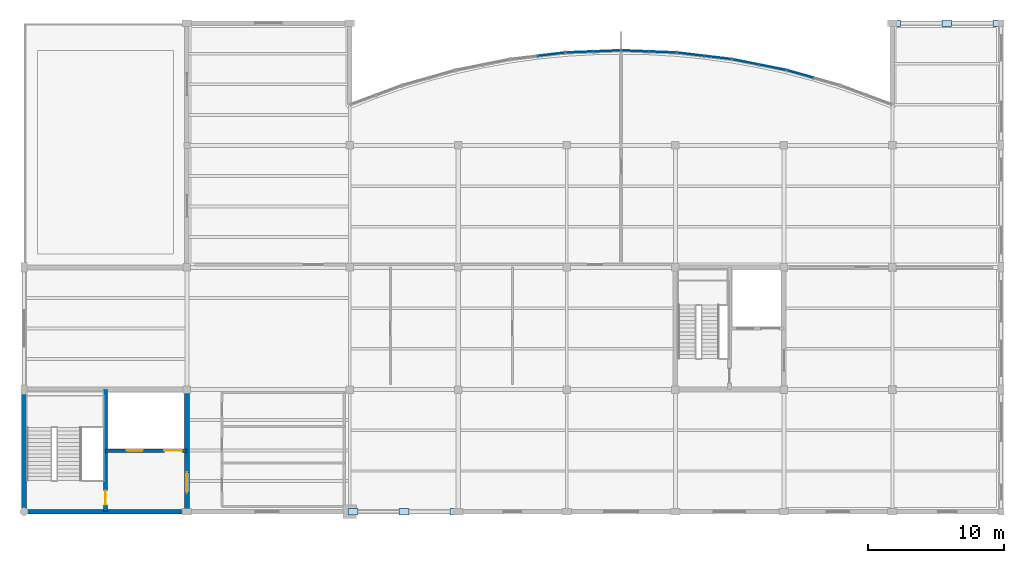
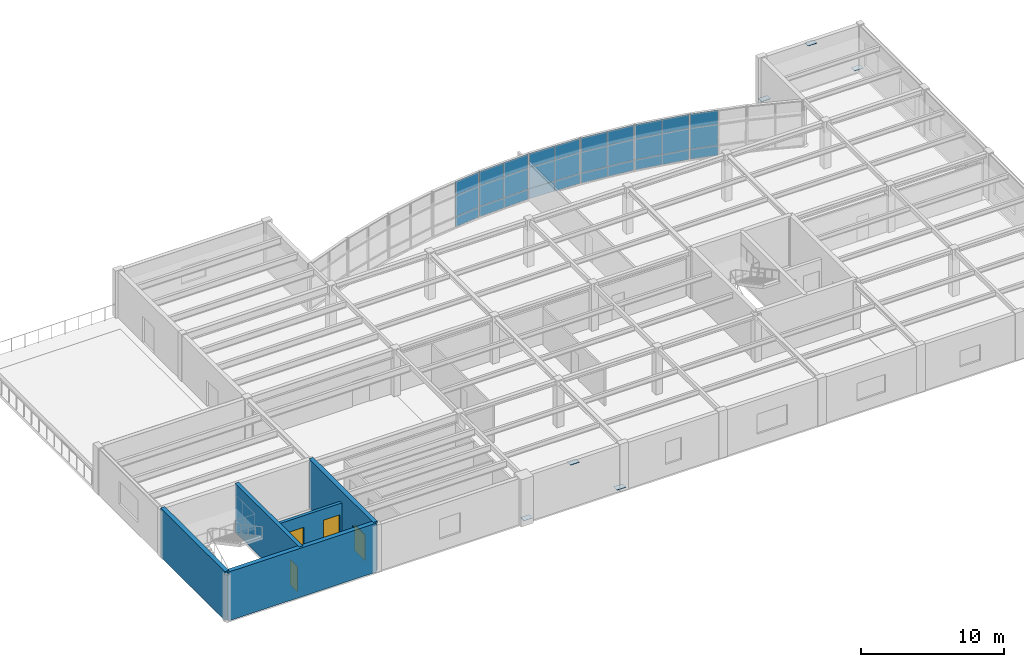
# One storey, part 6 of 12: 36 plates, 5 walls, 4 doors, 4 openings, 6 elements without a shape of their own.
"""IFC4 building model written with IfcOpenShell, lengths in metres."""

import ifcopenshell
import ifcopenshell.guid

model = None  # the IFC model being written
_history = None  # IfcOwnerHistory: only IFC2X3 demands one
_inside = {}  # id of a spatial element -> (the spatial element, [elements in it])
_under = {}  # id of a project, library or spatial element -> (it, [spatial elements below it])
_declared = {}  # id of a project -> (the project, [libraries it declares])
_typed = {}  # id of a type object -> (the type object, [elements of that type])
_made_of = {}  # id of a material, layer set ... -> (it, [elements and type objects made of it])


def new_model(schema):
    """Start an empty IFC model of exactly this schema.

    Asked for "IFC4X3", IfcOpenShell would pick the latest addendum, in which some entities
    have other attributes; the version numbers below select the first issue.
    IFC2X3 requires an IfcOwnerHistory on every rooted entity: one is made here for all.
    """
    global model, _history
    if schema == "IFC4X3":
        model = ifcopenshell.file(schema_version=(4, 3, 0, 0))
    else:
        model = ifcopenshell.file(schema=schema)
    _inside.clear()
    _under.clear()
    _declared.clear()
    _typed.clear()
    _made_of.clear()
    _history = None
    if model.schema == "IFC2X3":
        org = make("IfcOrganization", Name="unknown")
        user = make(
            "IfcPersonAndOrganization",
            ThePerson=make("IfcPerson", FamilyName="unknown"),
            TheOrganization=org,
        )
        app = make(
            "IfcApplication",
            ApplicationDeveloper=org,
            Version="unknown",
            ApplicationFullName="unknown",
            ApplicationIdentifier="unknown",
        )
        _history = make(
            "IfcOwnerHistory",
            OwningUser=user,
            OwningApplication=app,
            ChangeAction="ADDED",
            CreationDate=0,
        )
    return model


def make(cls, **values):
    """One entity of the class cls with the attributes given. An attribute that is None is left unset."""
    return model.create_entity(
        cls, **{name: value for name, value in values.items() if value is not None}
    )


def rooted(cls, **values):
    """An entity with a GlobalId (a new one), such as an element, a storey or a relation."""
    return make(cls, GlobalId=ifcopenshell.guid.new(), OwnerHistory=_history, **values)


def si_unit(unit_type, name, prefix=None):
    """IfcSIUnit, for example si_unit("LENGTHUNIT", "METRE", prefix="MILLI")."""
    return make("IfcSIUnit", UnitType=unit_type, Prefix=prefix, Name=name)


def assignment(units):
    """IfcUnitAssignment: the units of a project."""
    return None if units is None else make("IfcUnitAssignment", Units=units)


def point(xyz):
    """IfcCartesianPoint."""
    return None if xyz is None else make("IfcCartesianPoint", Coordinates=xyz)


def direction(xyz):
    """IfcDirection."""
    return None if xyz is None else make("IfcDirection", DirectionRatios=xyz)


def frame(location, z_axis=None, x_axis=None):
    """IfcAxis2Placement3D, a coordinate frame: its origin and axes. An axis left out is left unset."""
    return make(
        "IfcAxis2Placement3D",
        Location=point(location),
        Axis=direction(z_axis),
        RefDirection=direction(x_axis),
    )


def frame_2d(location, x_axis=None):
    """IfcAxis2Placement2D, a coordinate frame in the plane: its origin and x axis."""
    return make(
        "IfcAxis2Placement2D", Location=point(location), RefDirection=direction(x_axis)
    )


def origin():
    """The frame at (0, 0, 0) with its axes left unset."""
    return frame((0.0, 0.0, 0.0))


def origin_2d():
    """The frame at (0, 0) in the plane with its x axis left unset."""
    return frame_2d((0.0, 0.0))


def place(relative_to, where):
    """IfcLocalPlacement: puts the frame where relative to a parent placement (None: the world)."""
    return make(
        "IfcLocalPlacement", PlacementRelTo=relative_to, RelativePlacement=where
    )


def context(
    kind, dimensions, precision=None, world=None, true_north=None, identifier=None
):
    """IfcGeometricRepresentationContext, for example the 3D "Model" context."""
    return make(
        "IfcGeometricRepresentationContext",
        ContextIdentifier=identifier,
        ContextType=kind,
        CoordinateSpaceDimension=dimensions,
        Precision=precision,
        WorldCoordinateSystem=world,
        TrueNorth=true_north,
    )


def subcontext(parent, identifier, kind, view, scale=None):
    """IfcGeometricRepresentationSubContext, for example "Body" below "Model"."""
    return make(
        "IfcGeometricRepresentationSubContext",
        ContextIdentifier=identifier,
        ContextType=kind,
        ParentContext=parent,
        TargetScale=scale,
        TargetView=view,
    )


def project(units=None, contexts=None):
    """IfcProject with its units and contexts."""
    return rooted(
        "IfcProject",
        Name="project",
        RepresentationContexts=contexts,
        UnitsInContext=assignment(units),
    )


def spatial(cls, under=None, at=None, **own):
    """A site, building, storey or space (cls), placed at a placement, below another one or the project."""
    s = rooted(cls, ObjectPlacement=at, **own)
    if under is not None:
        _under.setdefault(under.id(), (under, []))[1].append(s)
    return s


def profile(cls, at=None, kind="AREA", **sizes):
    """A parametric profile (cls). Its sizes go by their IFC names, for example OverallWidth=200.0."""
    return make(cls, ProfileType=kind, Position=at, **sizes)


def rectangle(**sizes):
    """IfcRectangleProfileDef."""
    return profile("IfcRectangleProfileDef", **sizes)


def extrude(swept, where, along, depth):
    """IfcExtrudedAreaSolid: the profile swept, set in the frame where, extruded along a direction by depth."""
    return make(
        "IfcExtrudedAreaSolid",
        SweptArea=swept,
        Position=where,
        ExtrudedDirection=direction(along),
        Depth=depth,
    )


def shape(context_of_items, identifier, shape_type, items):
    """IfcShapeRepresentation: the items that make up one representation, for example the "Body"."""
    return make(
        "IfcShapeRepresentation",
        ContextOfItems=context_of_items,
        RepresentationIdentifier=identifier,
        RepresentationType=shape_type,
        Items=items,
    )


def material(Name=None, Category=None):
    """IfcMaterial."""
    return make("IfcMaterial", Name=Name, Category=Category)


def layer(
    of_material, thickness, ventilated=None, Name=None, Category=None, Priority=None
):
    """IfcMaterialLayer: one layer of a wall or slab, of a material (None: an air gap)."""
    return make(
        "IfcMaterialLayer",
        Material=of_material,
        LayerThickness=thickness,
        IsVentilated=ventilated,
        Name=Name,
        Category=Category,
        Priority=Priority,
    )


def layer_set(layers, Name=None):
    """IfcMaterialLayerSet."""
    return make("IfcMaterialLayerSet", MaterialLayers=layers, LayerSetName=Name)


def made_of(thing, what):
    """Note that an element or type object is made of a material, layer set ...; save() writes the relation."""
    if what is not None:
        _made_of.setdefault(what.id(), (what, []))[1].append(thing)
    return thing


def type_object(cls, material=None, **own):
    """A type object (cls), such as IfcWallType, which elements share."""
    return made_of(rooted(cls, **own), material)


def element(
    cls,
    number,
    at=None,
    inside=None,
    cuts=None,
    type_object=None,
    material=None,
    context=None,
    identifier="Body",
    shape_type=None,
    held_by="IfcProductDefinitionShape",
    body=None,
    shapes=None,
    **own,
):
    """One element of the class cls, such as IfcWall. Its Tag is "e" and its number.

    at: its placement. inside: the storey or other place that contains it. cuts: it is an
    opening in that element (IfcRelVoidsElement). A single representation is given by context,
    identifier, shape_type and body (its items); several are given by shapes. held_by: the class
    of the entity that holds the representations. save() writes the other relations.
    """
    e = rooted(cls, Tag="e%d" % number, ObjectPlacement=at, **own)
    if body is not None:
        shapes = [shape(context, identifier, shape_type, body)]
    if shapes is not None:
        e.Representation = make(held_by, Representations=shapes)
    if inside is not None:
        _inside.setdefault(inside.id(), (inside, []))[1].append(e)
    if cuts is not None:
        rooted(
            "IfcRelVoidsElement", RelatingBuildingElement=cuts, RelatedOpeningElement=e
        )
    if type_object is not None:
        _typed.setdefault(type_object.id(), (type_object, []))[1].append(e)
    return made_of(e, material)


def fill(opening, filler):
    """IfcRelFillsElement: the door or window that sits in an opening."""
    return rooted(
        "IfcRelFillsElement",
        RelatingOpeningElement=opening,
        RelatedBuildingElement=filler,
    )


def aggregate(whole, parts):
    """IfcRelAggregates: a whole, such as a stair, and the parts it consists of."""
    return rooted("IfcRelAggregates", RelatingObject=whole, RelatedObjects=parts)


def save(model, path):
    """Write the relations noted so far, then the file.

    IfcRelAggregates (storeys below a building ...), IfcRelContainedInSpatialStructure (elements
    in a storey), IfcRelDefinesByType, IfcRelAssociatesMaterial and IfcRelDeclares: one each for
    every whole, place, type object, material and project.
    """
    for whole, parts in _under.values():
        aggregate(whole, parts)
    for where, things in _inside.values():
        rooted(
            "IfcRelContainedInSpatialStructure",
            RelatedElements=things,
            RelatingStructure=where,
        )
    for kind, things in _typed.values():
        rooted("IfcRelDefinesByType", RelatedObjects=things, RelatingType=kind)
    for what, things in _made_of.values():
        rooted("IfcRelAssociatesMaterial", RelatedObjects=things, RelatingMaterial=what)
    for by, libraries in _declared.values():
        rooted("IfcRelDeclares", RelatingContext=by, RelatedDefinitions=libraries)
    model.write(path)


model = new_model("IFC4")

# Units and contexts
model_context = context("Model", 3, precision=1e-05, world=origin(), true_north=direction((0.0, 1.0)))
body_context = subcontext(model_context, "Body", "Model", "MODEL_VIEW")
ifc_project = project(units=[si_unit("LENGTHUNIT", "METRE"), si_unit("AREAUNIT", "SQUARE_METRE"), si_unit("VOLUMEUNIT", "CUBIC_METRE"), si_unit("PLANEANGLEUNIT", "RADIAN"), si_unit("MASSUNIT", "GRAM", prefix="KILO")], contexts=[model_context])

# Site, building, storey
site_placement = place(None, origin())
site = spatial("IfcSite", under=ifc_project, at=site_placement, CompositionType="ELEMENT")
building_placement = place(site_placement, origin())
building = spatial("IfcBuilding", under=site, at=building_placement, Name="Keelwater Ferry Terminal", CompositionType="ELEMENT")
storey_placement = place(building_placement, frame((0.0, 0.0, 19.5)))
storey = spatial("IfcBuildingStorey", under=building, at=storey_placement, Name="L04", CompositionType="ELEMENT", Elevation=19.5)

# Curtain wall, plate
ifc_material_1 = material(Name="Thermally broken unitised aluminium and triple glass", Category="aluminium")
ifc_layer_1 = layer(ifc_material_1, 0.179931640625)
ifc_layer_set_1 = layer_set([ifc_layer_1], Name="Thermally broken unitised aluminium and triple glass")
curtain_wall_type = type_object("IfcCurtainWallType", Name="CW-23 Unitised Curtain Wall 4015x3850", PredefinedType="USERDEFINED", material=ifc_layer_set_1)
curtain_wall_1_placement = place(storey_placement, origin())
curtain_wall_1 = element("IfcCurtainWall", 1, at=curtain_wall_1_placement, inside=storey, type_object=curtain_wall_type, Name="Unitised Curtain Wall CW-L04-214", ObjectType="UNITISED CURTAIN WALL", PredefinedType="USERDEFINED")
ifc_material_2 = material(Name="Insulated terracotta shadow-box spandrel", Category="masonry")
ifc_layer_2 = layer(ifc_material_2, 0.110107421875)
ifc_layer_set_2 = layer_set([ifc_layer_2], Name="Insulated terracotta shadow-box spandrel")
plate_type_1 = type_object("IfcPlateType", Name="CWP-S3 Insulated Spandrel Panel 110", PredefinedType="CURTAIN_PANEL", material=ifc_layer_set_2)
plate_1_placement = place(storey_placement, frame((165.211669921875, 122.261962890625, 0.0), z_axis=(0.0, 0.0, 1.0), x_axis=(-0.962029778706, 0.272944508797, 0.0)))
plate_1 = element("IfcPlate", 2, at=plate_1_placement, type_object=plate_type_1, Name="CW-L04-214 Panel 2.1", PredefinedType="CURTAIN_PANEL", context=body_context, shape_type="SweptSolid", body=[
    extrude(rectangle(XDim=2.0078125, YDim=0.110107421875, at=origin_2d()), origin(), (0.0, 0.0, 1.0), 0.85009765625),
])

# Curtain wall, plates
curtain_wall_2_placement = place(storey_placement, origin())
curtain_wall_2 = element("IfcCurtainWall", 3, at=curtain_wall_2_placement, inside=storey, type_object=curtain_wall_type, Name="Unitised Curtain Wall CW-L04-215", ObjectType="UNITISED CURTAIN WALL", PredefinedType="USERDEFINED")
plate_2_placement = place(storey_placement, frame((163.1748046875, 122.753662109375, 0.0), z_axis=(0.0, 0.0, 1.0), x_axis=(-0.98059983046, 0.196020336958, 0.0)))
plate_2 = element("IfcPlate", 4, at=plate_2_placement, type_object=plate_type_1, Name="CW-L04-215 Panel 1.1", PredefinedType="CURTAIN_PANEL", context=body_context, shape_type="SweptSolid", body=[
    extrude(rectangle(XDim=2.00732421875, YDim=0.110107421875, at=origin_2d()), origin(), (0.0, 0.0, 1.0), 0.85009765625),
])
plate_3_placement = place(storey_placement, frame((161.206298828125, 123.147216796875, 0.0), z_axis=(0.0, 0.0, 1.0), x_axis=(-0.98059983046, 0.196020336958, 0.0)))
plate_3 = element("IfcPlate", 5, at=plate_3_placement, type_object=plate_type_1, Name="CW-L04-215 Panel 2.1", PredefinedType="CURTAIN_PANEL", context=body_context, shape_type="SweptSolid", body=[
    extrude(rectangle(XDim=2.00732421875, YDim=0.110107421875, at=origin_2d()), origin(), (0.0, 0.0, 1.0), 0.85009765625),
])

curtain_wall_3_placement = place(storey_placement, origin())
curtain_wall_3 = element("IfcCurtainWall", 6, at=curtain_wall_3_placement, inside=storey, type_object=curtain_wall_type, Name="Unitised Curtain Wall CW-L04-216", ObjectType="UNITISED CURTAIN WALL", PredefinedType="USERDEFINED")
plate_4_placement = place(storey_placement, frame((159.136474609375, 123.476806640625, 0.0), z_axis=(0.0, 0.0, 1.0), x_axis=(-0.992974342459, 0.118329857676, 0.0)))
plate_4 = element("IfcPlate", 7, at=plate_4_placement, type_object=plate_type_1, Name="CW-L04-216 Panel 1.1", PredefinedType="CURTAIN_PANEL", context=body_context, shape_type="SweptSolid", body=[
    extrude(rectangle(XDim=2.007080078125, YDim=0.110107421875, at=origin_2d()), origin(), (0.0, 0.0, 1.0), 0.85009765625),
])
plate_5_placement = place(storey_placement, frame((157.1435546875, 123.71435546875, 0.0), z_axis=(0.0, 0.0, 1.0), x_axis=(-0.992974342459, 0.118329857676, 0.0)))
plate_5 = element("IfcPlate", 8, at=plate_5_placement, type_object=plate_type_1, Name="CW-L04-216 Panel 2.1", PredefinedType="CURTAIN_PANEL", context=body_context, shape_type="SweptSolid", body=[
    extrude(rectangle(XDim=2.007080078125, YDim=0.110107421875, at=origin_2d()), origin(), (0.0, 0.0, 1.0), 0.85009765625),
])

curtain_wall_4_placement = place(storey_placement, origin())
curtain_wall_4 = element("IfcCurtainWall", 9, at=curtain_wall_4_placement, inside=storey, type_object=curtain_wall_type, Name="Unitised Curtain Wall CW-L04-217", ObjectType="UNITISED CURTAIN WALL", PredefinedType="USERDEFINED")
plate_6_placement = place(storey_placement, frame((155.053955078125, 123.87939453125, 0.0), z_axis=(0.0, 0.0, 1.0), x_axis=(-0.999225435626, 0.039351350652, 0.0)))
plate_6 = element("IfcPlate", 10, at=plate_6_placement, type_object=plate_type_1, Name="CW-L04-217 Panel 1.1", PredefinedType="CURTAIN_PANEL", context=body_context, shape_type="SweptSolid", body=[
    extrude(rectangle(XDim=2.007568359375, YDim=0.110107421875, at=origin_2d()), origin(), (0.0, 0.0, 1.0), 0.85009765625),
])
plate_7_placement = place(storey_placement, frame((153.048095703125, 123.95849609375, 0.0), z_axis=(0.0, 0.0, 1.0), x_axis=(-0.999225435626, 0.039351350652, 0.0)))
plate_7 = element("IfcPlate", 11, at=plate_7_placement, type_object=plate_type_1, Name="CW-L04-217 Panel 2.1", PredefinedType="CURTAIN_PANEL", context=body_context, shape_type="SweptSolid", body=[
    extrude(rectangle(XDim=2.007568359375, YDim=0.110107421875, at=origin_2d()), origin(), (0.0, 0.0, 1.0), 0.85009765625),
])

curtain_wall_5_placement = place(storey_placement, origin())
curtain_wall_5 = element("IfcCurtainWall", 12, at=curtain_wall_5_placement, inside=storey, type_object=curtain_wall_type, Name="Unitised Curtain Wall CW-L04-218", ObjectType="UNITISED CURTAIN WALL", PredefinedType="USERDEFINED")
plate_8_placement = place(storey_placement, frame((150.951904296875, 123.95849609375, 0.0), z_axis=(0.0, 0.0, 1.0), x_axis=(-0.999225435626, -0.039351350652, 0.0)))
plate_8 = element("IfcPlate", 13, at=plate_8_placement, type_object=plate_type_1, Name="CW-L04-218 Panel 1.1", PredefinedType="CURTAIN_PANEL", context=body_context, shape_type="SweptSolid", body=[
    extrude(rectangle(XDim=2.007568359375, YDim=0.110107421875, at=origin_2d()), origin(), (0.0, 0.0, 1.0), 0.85009765625),
])
plate_9_placement = place(storey_placement, frame((148.946044921875, 123.87939453125, 0.0), z_axis=(0.0, 0.0, 1.0), x_axis=(-0.999225435626, -0.039351350652, 0.0)))
plate_9 = element("IfcPlate", 14, at=plate_9_placement, type_object=plate_type_1, Name="CW-L04-218 Panel 2.1", PredefinedType="CURTAIN_PANEL", context=body_context, shape_type="SweptSolid", body=[
    extrude(rectangle(XDim=2.007568359375, YDim=0.110107421875, at=origin_2d()), origin(), (0.0, 0.0, 1.0), 0.85009765625),
])

# Curtain wall, plate
curtain_wall_6_placement = place(storey_placement, origin())
curtain_wall_6 = element("IfcCurtainWall", 15, at=curtain_wall_6_placement, inside=storey, type_object=curtain_wall_type, Name="Unitised Curtain Wall CW-L04-219", ObjectType="UNITISED CURTAIN WALL", PredefinedType="USERDEFINED")
plate_10_placement = place(storey_placement, frame((146.8564453125, 123.71435546875, 0.0), z_axis=(0.0, 0.0, 1.0), x_axis=(-0.992974342459, -0.118329857676, 0.0)))
plate_10 = element("IfcPlate", 16, at=plate_10_placement, type_object=plate_type_1, Name="CW-L04-219 Panel 1.1", PredefinedType="CURTAIN_PANEL", context=body_context, shape_type="SweptSolid", body=[
    extrude(rectangle(XDim=2.007080078125, YDim=0.110107421875, at=origin_2d()), origin(), (0.0, 0.0, 1.0), 0.85009765625),
])

# Plate
ifc_material_3 = material(Name="Triple low-E laminated glass", Category="glass")
ifc_layer_3 = layer(ifc_material_3, 0.035888671875)
ifc_layer_set_3 = layer_set([ifc_layer_3], Name="Triple low-E laminated glass")
plate_type_2 = type_object("IfcPlateType", Name="CWP-V1 Glazed Vision Panel 36", PredefinedType="CURTAIN_PANEL", material=ifc_layer_set_3)
plate_11_placement = place(storey_placement, frame((165.211669921875, 122.261962890625, 0.85009765625), z_axis=(0.0, 0.0, 1.0), x_axis=(-0.962029778706, 0.272944508797, 0.0)))
plate_11 = element("IfcPlate", 17, at=plate_11_placement, type_object=plate_type_2, Name="CW-L04-214 Panel 2.2", PredefinedType="CURTAIN_PANEL", context=body_context, shape_type="SweptSolid", body=[
    extrude(rectangle(XDim=2.0078125, YDim=0.035888671875, at=origin_2d()), origin(), (0.0, 0.0, 1.0), 1.800048828125),
])

plate_12_placement = place(storey_placement, frame((165.211669921875, 122.261962890625, 2.64990234375), z_axis=(0.0, 0.0, 1.0), x_axis=(-0.962029778706, 0.272944508797, 0.0)))
plate_12 = element("IfcPlate", 18, at=plate_12_placement, type_object=plate_type_2, Name="CW-L04-214 Panel 2.3", PredefinedType="CURTAIN_PANEL", context=body_context, shape_type="SweptSolid", body=[
    extrude(rectangle(XDim=2.0078125, YDim=0.035888671875, at=origin_2d()), origin(), (0.0, 0.0, 1.0), 1.199951171875),
])

aggregate(curtain_wall_1, [plate_1, plate_11, plate_12])

plate_13_placement = place(storey_placement, frame((163.1748046875, 122.753662109375, 0.85009765625), z_axis=(0.0, 0.0, 1.0), x_axis=(-0.98059983046, 0.196020336958, 0.0)))
plate_13 = element("IfcPlate", 19, at=plate_13_placement, type_object=plate_type_2, Name="CW-L04-215 Panel 1.2", PredefinedType="CURTAIN_PANEL", context=body_context, shape_type="SweptSolid", body=[
    extrude(rectangle(XDim=2.00732421875, YDim=0.035888671875, at=origin_2d()), origin(), (0.0, 0.0, 1.0), 1.800048828125),
])

plate_14_placement = place(storey_placement, frame((163.1748046875, 122.753662109375, 2.64990234375), z_axis=(0.0, 0.0, 1.0), x_axis=(-0.98059983046, 0.196020336958, 0.0)))
plate_14 = element("IfcPlate", 20, at=plate_14_placement, type_object=plate_type_2, Name="CW-L04-215 Panel 1.3", PredefinedType="CURTAIN_PANEL", context=body_context, shape_type="SweptSolid", body=[
    extrude(rectangle(XDim=2.00732421875, YDim=0.035888671875, at=origin_2d()), origin(), (0.0, 0.0, 1.0), 1.199951171875),
])

plate_15_placement = place(storey_placement, frame((161.206298828125, 123.147216796875, 0.85009765625), z_axis=(0.0, 0.0, 1.0), x_axis=(-0.98059983046, 0.196020336958, 0.0)))
plate_15 = element("IfcPlate", 21, at=plate_15_placement, type_object=plate_type_2, Name="CW-L04-215 Panel 2.2", PredefinedType="CURTAIN_PANEL", context=body_context, shape_type="SweptSolid", body=[
    extrude(rectangle(XDim=2.00732421875, YDim=0.035888671875, at=origin_2d()), origin(), (0.0, 0.0, 1.0), 1.800048828125),
])

plate_16_placement = place(storey_placement, frame((161.206298828125, 123.147216796875, 2.64990234375), z_axis=(0.0, 0.0, 1.0), x_axis=(-0.98059983046, 0.196020336958, 0.0)))
plate_16 = element("IfcPlate", 22, at=plate_16_placement, type_object=plate_type_2, Name="CW-L04-215 Panel 2.3", PredefinedType="CURTAIN_PANEL", context=body_context, shape_type="SweptSolid", body=[
    extrude(rectangle(XDim=2.00732421875, YDim=0.035888671875, at=origin_2d()), origin(), (0.0, 0.0, 1.0), 1.199951171875),
])

aggregate(curtain_wall_2, [plate_2, plate_13, plate_14, plate_3, plate_15, plate_16])

plate_17_placement = place(storey_placement, frame((159.136474609375, 123.476806640625, 0.85009765625), z_axis=(0.0, 0.0, 1.0), x_axis=(-0.992974342459, 0.118329857676, 0.0)))
plate_17 = element("IfcPlate", 23, at=plate_17_placement, type_object=plate_type_2, Name="CW-L04-216 Panel 1.2", PredefinedType="CURTAIN_PANEL", context=body_context, shape_type="SweptSolid", body=[
    extrude(rectangle(XDim=2.007080078125, YDim=0.035888671875, at=origin_2d()), origin(), (0.0, 0.0, 1.0), 1.800048828125),
])

plate_18_placement = place(storey_placement, frame((159.136474609375, 123.476806640625, 2.64990234375), z_axis=(0.0, 0.0, 1.0), x_axis=(-0.992974342459, 0.118329857676, 0.0)))
plate_18 = element("IfcPlate", 24, at=plate_18_placement, type_object=plate_type_2, Name="CW-L04-216 Panel 1.3", PredefinedType="CURTAIN_PANEL", context=body_context, shape_type="SweptSolid", body=[
    extrude(rectangle(XDim=2.007080078125, YDim=0.035888671875, at=origin_2d()), origin(), (0.0, 0.0, 1.0), 1.199951171875),
])

plate_19_placement = place(storey_placement, frame((157.1435546875, 123.71435546875, 0.85009765625), z_axis=(0.0, 0.0, 1.0), x_axis=(-0.992974342459, 0.118329857676, 0.0)))
plate_19 = element("IfcPlate", 25, at=plate_19_placement, type_object=plate_type_2, Name="CW-L04-216 Panel 2.2", PredefinedType="CURTAIN_PANEL", context=body_context, shape_type="SweptSolid", body=[
    extrude(rectangle(XDim=2.007080078125, YDim=0.035888671875, at=origin_2d()), origin(), (0.0, 0.0, 1.0), 1.800048828125),
])

plate_20_placement = place(storey_placement, frame((157.1435546875, 123.71435546875, 2.64990234375), z_axis=(0.0, 0.0, 1.0), x_axis=(-0.992974342459, 0.118329857676, 0.0)))
plate_20 = element("IfcPlate", 26, at=plate_20_placement, type_object=plate_type_2, Name="CW-L04-216 Panel 2.3", PredefinedType="CURTAIN_PANEL", context=body_context, shape_type="SweptSolid", body=[
    extrude(rectangle(XDim=2.007080078125, YDim=0.035888671875, at=origin_2d()), origin(), (0.0, 0.0, 1.0), 1.199951171875),
])

aggregate(curtain_wall_3, [plate_4, plate_17, plate_18, plate_5, plate_19, plate_20])

plate_21_placement = place(storey_placement, frame((155.053955078125, 123.87939453125, 0.85009765625), z_axis=(0.0, 0.0, 1.0), x_axis=(-0.999225435626, 0.039351350652, 0.0)))
plate_21 = element("IfcPlate", 27, at=plate_21_placement, type_object=plate_type_2, Name="CW-L04-217 Panel 1.2", PredefinedType="CURTAIN_PANEL", context=body_context, shape_type="SweptSolid", body=[
    extrude(rectangle(XDim=2.007568359375, YDim=0.035888671875, at=origin_2d()), origin(), (0.0, 0.0, 1.0), 1.800048828125),
])

plate_22_placement = place(storey_placement, frame((155.053955078125, 123.87939453125, 2.64990234375), z_axis=(0.0, 0.0, 1.0), x_axis=(-0.999225435626, 0.039351350652, 0.0)))
plate_22 = element("IfcPlate", 28, at=plate_22_placement, type_object=plate_type_2, Name="CW-L04-217 Panel 1.3", PredefinedType="CURTAIN_PANEL", context=body_context, shape_type="SweptSolid", body=[
    extrude(rectangle(XDim=2.007568359375, YDim=0.035888671875, at=origin_2d()), origin(), (0.0, 0.0, 1.0), 1.199951171875),
])

plate_23_placement = place(storey_placement, frame((153.048095703125, 123.95849609375, 0.85009765625), z_axis=(0.0, 0.0, 1.0), x_axis=(-0.999225435626, 0.039351350652, 0.0)))
plate_23 = element("IfcPlate", 29, at=plate_23_placement, type_object=plate_type_2, Name="CW-L04-217 Panel 2.2", PredefinedType="CURTAIN_PANEL", context=body_context, shape_type="SweptSolid", body=[
    extrude(rectangle(XDim=2.007568359375, YDim=0.035888671875, at=origin_2d()), origin(), (0.0, 0.0, 1.0), 1.800048828125),
])

plate_24_placement = place(storey_placement, frame((153.048095703125, 123.95849609375, 2.64990234375), z_axis=(0.0, 0.0, 1.0), x_axis=(-0.999225435626, 0.039351350652, 0.0)))
plate_24 = element("IfcPlate", 30, at=plate_24_placement, type_object=plate_type_2, Name="CW-L04-217 Panel 2.3", PredefinedType="CURTAIN_PANEL", context=body_context, shape_type="SweptSolid", body=[
    extrude(rectangle(XDim=2.007568359375, YDim=0.035888671875, at=origin_2d()), origin(), (0.0, 0.0, 1.0), 1.199951171875),
])

aggregate(curtain_wall_4, [plate_6, plate_21, plate_22, plate_7, plate_23, plate_24])

plate_25_placement = place(storey_placement, frame((150.951904296875, 123.95849609375, 0.85009765625), z_axis=(0.0, 0.0, 1.0), x_axis=(-0.999225435626, -0.039351350652, 0.0)))
plate_25 = element("IfcPlate", 31, at=plate_25_placement, type_object=plate_type_2, Name="CW-L04-218 Panel 1.2", PredefinedType="CURTAIN_PANEL", context=body_context, shape_type="SweptSolid", body=[
    extrude(rectangle(XDim=2.007568359375, YDim=0.035888671875, at=origin_2d()), origin(), (0.0, 0.0, 1.0), 1.800048828125),
])

plate_26_placement = place(storey_placement, frame((150.951904296875, 123.95849609375, 2.64990234375), z_axis=(0.0, 0.0, 1.0), x_axis=(-0.999225435626, -0.039351350652, 0.0)))
plate_26 = element("IfcPlate", 32, at=plate_26_placement, type_object=plate_type_2, Name="CW-L04-218 Panel 1.3", PredefinedType="CURTAIN_PANEL", context=body_context, shape_type="SweptSolid", body=[
    extrude(rectangle(XDim=2.007568359375, YDim=0.035888671875, at=origin_2d()), origin(), (0.0, 0.0, 1.0), 1.199951171875),
])

plate_27_placement = place(storey_placement, frame((148.946044921875, 123.87939453125, 0.85009765625), z_axis=(0.0, 0.0, 1.0), x_axis=(-0.999225435626, -0.039351350652, 0.0)))
plate_27 = element("IfcPlate", 33, at=plate_27_placement, type_object=plate_type_2, Name="CW-L04-218 Panel 2.2", PredefinedType="CURTAIN_PANEL", context=body_context, shape_type="SweptSolid", body=[
    extrude(rectangle(XDim=2.007568359375, YDim=0.035888671875, at=origin_2d()), origin(), (0.0, 0.0, 1.0), 1.800048828125),
])

plate_28_placement = place(storey_placement, frame((148.946044921875, 123.87939453125, 2.64990234375), z_axis=(0.0, 0.0, 1.0), x_axis=(-0.999225435626, -0.039351350652, 0.0)))
plate_28 = element("IfcPlate", 34, at=plate_28_placement, type_object=plate_type_2, Name="CW-L04-218 Panel 2.3", PredefinedType="CURTAIN_PANEL", context=body_context, shape_type="SweptSolid", body=[
    extrude(rectangle(XDim=2.007568359375, YDim=0.035888671875, at=origin_2d()), origin(), (0.0, 0.0, 1.0), 1.199951171875),
])

aggregate(curtain_wall_5, [plate_8, plate_25, plate_26, plate_9, plate_27, plate_28])

plate_29_placement = place(storey_placement, frame((146.8564453125, 123.71435546875, 0.85009765625), z_axis=(0.0, 0.0, 1.0), x_axis=(-0.992974342459, -0.118329857676, 0.0)))
plate_29 = element("IfcPlate", 35, at=plate_29_placement, type_object=plate_type_2, Name="CW-L04-219 Panel 1.2", PredefinedType="CURTAIN_PANEL", context=body_context, shape_type="SweptSolid", body=[
    extrude(rectangle(XDim=2.007080078125, YDim=0.035888671875, at=origin_2d()), origin(), (0.0, 0.0, 1.0), 1.800048828125),
])

plate_30_placement = place(storey_placement, frame((146.8564453125, 123.71435546875, 2.64990234375), z_axis=(0.0, 0.0, 1.0), x_axis=(-0.992974342459, -0.118329857676, 0.0)))
plate_30 = element("IfcPlate", 36, at=plate_30_placement, type_object=plate_type_2, Name="CW-L04-219 Panel 1.3", PredefinedType="CURTAIN_PANEL", context=body_context, shape_type="SweptSolid", body=[
    extrude(rectangle(XDim=2.007080078125, YDim=0.035888671875, at=origin_2d()), origin(), (0.0, 0.0, 1.0), 1.199951171875),
])

aggregate(curtain_wall_6, [plate_10, plate_29, plate_30])

# Plates
ifc_material_4 = material(Name="Steel S355", Category="steel")
ifc_layer_4 = layer(ifc_material_4, 0.02490234375)
ifc_layer_set_4 = layer_set([ifc_layer_4], Name="Steel S355")
plate_type_3 = type_object("IfcPlateType", Name="GP3 720x480x25", PredefinedType="USERDEFINED", material=ifc_layer_set_4)
for number, where, z_axis, x_axis, name in (
    (37, (136.0, 90.0, 3.677490234375), (0.0, 0.0, 1.0), (1.0, 0.0, 0.0), "Connection Gusset Plate 114"),
    (38, (132.239990234375, 90.0, 0.2275390625), (0.0, 0.0, 1.0), (1.0, 0.0, 0.0), "Connection Gusset Plate 115"),
    (39, (139.760009765625, 90.0, 0.2275390625), (0.0, 0.0, 1.0), (1.0, 0.0, 0.0), "Connection Gusset Plate 116"),
    (40, (176.0, 126.0, 3.677490234375), (0.0, 0.0, 1.0), (1.0, 0.0, 0.0), "Connection Gusset Plate 129"),
    (41, (172.239990234375, 126.0, 0.2275390625), (0.0, 0.0, 1.0), (1.0, 0.0, 0.0), "Connection Gusset Plate 130"),
    (42, (179.760009765625, 126.0, 0.2275390625), (0.0, 0.0, 1.0), (1.0, 0.0, 0.0), "Connection Gusset Plate 131"),
):
    element("IfcPlate", number, at=place(storey_placement, frame(where, z_axis=z_axis, x_axis=x_axis)), inside=storey, type_object=plate_type_3, Name=name, ObjectType="GUSSET PLATE", PredefinedType="USERDEFINED", context=body_context, shape_type="SweptSolid", body=[
        extrude(rectangle(XDim=0.719970703125, YDim=0.47998046875, at=origin_2d()), origin(), (0.0, 0.0, 1.0), 0.02490234375),
    ])

# Wall, openings, doors
ifc_material_5 = material(Name="Concrete C40/50", Category="concrete")
ifc_layer_5 = layer(ifc_material_5, 0.25)
ifc_layer_set_5 = layer_set([ifc_layer_5], Name="Concrete C40/50")
wall_type_1 = type_object("IfcWallType", Name="IW-250 Solid Wall 250", PredefinedType="SOLIDWALL", material=ifc_layer_set_5)
wall_1_placement = place(storey_placement, frame((120.0, 94.5, 0.0), z_axis=(0.0, 0.0, 1.0), x_axis=(-1.0, 0.0, 0.0)))
wall_1 = element("IfcWall", 43, at=wall_1_placement, inside=storey, type_object=wall_type_1, Name="Interior Wall WL-INT-L04-0048", PredefinedType="SOLIDWALL", context=body_context, shape_type="SweptSolid", body=[
    extrude(rectangle(XDim=6.0, YDim=0.25, at=frame_2d((3.0, 0.0))), origin(), (0.0, 0.0, 1.0), 3.199951171875),
])
opening_1_placement = place(wall_1_placement, frame((0.35009765625, 0.0, 0.0)))
opening_1 = element("IfcOpeningElement", 44, at=opening_1_placement, cuts=wall_1, Name="Opening LD-015", PredefinedType="OPENING", context=body_context, shape_type="SweptSolid", body=[
    extrude(rectangle(XDim=1.300048828125, YDim=2.25, at=frame_2d((0.64990234375, 1.125))), frame((0.0, 0.135009765625, 0.0), z_axis=(0.0, -1.0, 0.0), x_axis=(1.0, 0.0, 0.0)), (0.0, 0.0, 1.0), 0.27001953125),
])
opening_2_placement = place(wall_1_placement, frame((3.25, 0.0, 0.0)))
opening_2 = element("IfcOpeningElement", 45, at=opening_2_placement, cuts=wall_1, Name="Opening LD-016", PredefinedType="OPENING", context=body_context, shape_type="SweptSolid", body=[
    extrude(rectangle(XDim=1.199951171875, YDim=2.199951171875, at=frame_2d((0.60009765625, 1.10009765625))), frame((0.0, 0.135009765625, 0.0), z_axis=(0.0, -1.0, 0.0), x_axis=(1.0, 0.0, 0.0)), (0.0, 0.0, 1.0), 0.27001953125),
])
ifc_material_6 = material(Name="Stainless steel sliding landing doors", Category="steel")
door_type_1 = type_object("IfcDoorType", Name="LD-T2 Lift Landing Door 1200x2200", OperationType="DOUBLE_DOOR_SLIDING", PredefinedType="USERDEFINED", material=ifc_material_6)
door_1_placement = place(opening_2_placement, origin())
door_1 = element("IfcDoor", 46, at=door_1_placement, inside=storey, type_object=door_type_1, Name="Door LD-016", ObjectType="LANDING DOOR", OperationType="DOUBLE_DOOR_SLIDING", OverallHeight=2.199951171875, OverallWidth=1.199951171875, PredefinedType="USERDEFINED", context=body_context, shape_type="SweptSolid", body=[
    extrude(rectangle(XDim=1.199951171875, YDim=2.199951171875, at=frame_2d((0.60009765625, 1.10009765625))), frame((0.0, 0.02490234375, 0.0), z_axis=(0.0, -1.0, 0.0), x_axis=(1.0, 0.0, 0.0)), (0.0, 0.0, 1.0), 0.050048828125),
])
fill(opening_2, door_1)
ifc_material_7 = material(Name="Stainless steel sliding landing doors", Category="steel")
door_type_2 = type_object("IfcDoorType", Name="LD-T3 Lift Landing Door 1300x2250", OperationType="DOUBLE_DOOR_SLIDING", PredefinedType="USERDEFINED", material=ifc_material_7)
door_2_placement = place(opening_1_placement, origin())
door_2 = element("IfcDoor", 47, at=door_2_placement, inside=storey, type_object=door_type_2, Name="Door LD-015", ObjectType="LANDING DOOR", OperationType="DOUBLE_DOOR_SLIDING", OverallHeight=2.25, OverallWidth=1.300048828125, PredefinedType="USERDEFINED", context=body_context, shape_type="SweptSolid", body=[
    extrude(rectangle(XDim=1.300048828125, YDim=2.25, at=frame_2d((0.64990234375, 1.125))), frame((0.0, 0.02490234375, 0.0), z_axis=(0.0, -1.0, 0.0), x_axis=(1.0, 0.0, 0.0)), (0.0, 0.0, 1.0), 0.050048828125),
])
fill(opening_1, door_2)

# Wall, opening, door
ifc_material_8 = material(Name="Concrete C45/55", Category="concrete")
ifc_layer_6 = layer(ifc_material_8, 0.300048828125)
ifc_layer_set_6 = layer_set([ifc_layer_6], Name="Concrete C45/55")
wall_type_2 = type_object("IfcWallType", Name="SW-300 Shear Wall 300", PredefinedType="SHEAR", material=ifc_layer_set_6)
wall_2_placement = place(storey_placement, frame((114.0, 99.0, 0.0), z_axis=(0.0, 0.0, 1.0), x_axis=(0.0, -1.0, 0.0)))
wall_2 = element("IfcWall", 48, at=wall_2_placement, inside=storey, type_object=wall_type_2, Name="Interior Wall WL-INT-L04-0047", PredefinedType="SHEAR", context=body_context, shape_type="SweptSolid", body=[
    extrude(rectangle(XDim=9.0, YDim=0.300048828125, at=frame_2d((4.5, 0.0))), origin(), (0.0, 0.0, 1.0), 4.179931640625),
])
opening_3_placement = place(wall_2_placement, frame((7.449951171875, 0.0, 0.0)))
opening_3 = element("IfcOpeningElement", 49, at=opening_3_placement, cuts=wall_2, Name="Opening FD-015", PredefinedType="OPENING", context=body_context, shape_type="SweptSolid", body=[
    extrude(rectangle(XDim=1.050048828125, YDim=2.14990234375, at=frame_2d((0.52490234375, 1.074951171875))), frame((0.0, 0.159912109375, 0.0), z_axis=(0.0, -1.0, 0.0), x_axis=(1.0, 0.0, 0.0)), (0.0, 0.0, 1.0), 0.320068359375),
])
ifc_material_9 = material(Name="Acoustic oak and fire-rated steel frame door", Category="steel")
door_type_3 = type_object("IfcDoorType", Name="ID-06 Pedestrian Door 1050x2150", OperationType="NOTDEFINED", PredefinedType="DOOR", material=ifc_material_9)
door_3_placement = place(opening_3_placement, origin())
door_3 = element("IfcDoor", 50, at=door_3_placement, inside=storey, type_object=door_type_3, Name="Door FD-015", OperationType="SINGLE_SWING_LEFT", OverallHeight=2.14990234375, OverallWidth=1.050048828125, PredefinedType="DOOR", context=body_context, shape_type="SweptSolid", body=[
    extrude(rectangle(XDim=1.050048828125, YDim=2.14990234375, at=frame_2d((0.52490234375, 1.074951171875))), frame((0.0, 0.02490234375, 0.0), z_axis=(0.0, -1.0, 0.0), x_axis=(1.0, 0.0, 0.0)), (0.0, 0.0, 1.0), 0.050048828125),
])
fill(opening_3, door_3)

# Walls
ifc_material_10 = material(Name="Concrete C45/55", Category="concrete")
ifc_layer_7 = layer(ifc_material_10, 0.35009765625)
ifc_layer_set_7 = layer_set([ifc_layer_7], Name="Concrete C45/55")
wall_type_3 = type_object("IfcWallType", Name="SW-350 Shear Wall 350", PredefinedType="SHEAR", material=ifc_layer_set_7)
wall_3_placement = place(storey_placement, frame((108.0, 90.0, 0.0), z_axis=(0.0, 0.0, 1.0), x_axis=(1.0, 0.0, 0.0)))
element("IfcWall", 51, at=wall_3_placement, inside=storey, type_object=wall_type_3, Name="Interior Wall WL-INT-L04-0043", PredefinedType="SHEAR", context=body_context, shape_type="SweptSolid", body=[
    extrude(rectangle(XDim=12.0, YDim=0.35009765625, at=frame_2d((6.0, 0.0))), origin(), (0.0, 0.0, 1.0), 4.179931640625),
])
wall_4_placement = place(storey_placement, frame((108.0, 90.0, 0.0), z_axis=(0.0, 0.0, 1.0), x_axis=(0.0, 1.0, 0.0)))
element("IfcWall", 52, at=wall_4_placement, inside=storey, type_object=wall_type_3, Name="Interior Wall WL-INT-L04-0045", PredefinedType="SHEAR", context=body_context, shape_type="SweptSolid", body=[
    extrude(rectangle(XDim=9.0, YDim=0.35009765625, at=frame_2d((4.5, 0.0))), origin(), (0.0, 0.0, 1.0), 4.179931640625),
])

# Wall, opening, door
wall_5_placement = place(storey_placement, frame((120.0, 90.0, 0.0), z_axis=(0.0, 0.0, 1.0), x_axis=(0.0, 1.0, 0.0)))
wall_5 = element("IfcWall", 53, at=wall_5_placement, inside=storey, type_object=wall_type_3, Name="Interior Wall WL-INT-L04-0046", PredefinedType="SHEAR", context=body_context, shape_type="SweptSolid", body=[
    extrude(rectangle(XDim=9.0, YDim=0.35009765625, at=frame_2d((4.5, 0.0))), origin(), (0.0, 0.0, 1.0), 4.179931640625),
])
opening_4_placement = place(wall_5_placement, frame((1.39990234375, 0.0, 0.0)))
opening_4 = element("IfcOpeningElement", 54, at=opening_4_placement, cuts=wall_5, Name="Opening FD-016", PredefinedType="OPENING", context=body_context, shape_type="SweptSolid", body=[
    extrude(rectangle(XDim=1.5, YDim=2.199951171875, at=frame_2d((0.75, 1.10009765625))), frame((0.0, 0.18505859375, 0.0), z_axis=(0.0, -1.0, 0.0), x_axis=(1.0, 0.0, 0.0)), (0.0, 0.0, 1.0), 0.3701171875),
])
ifc_material_11 = material(Name="Acoustic oak and fire-rated steel frame door", Category="steel")
door_type_4 = type_object("IfcDoorType", Name="ID-02 Pedestrian Door 1500x2200", OperationType="DOUBLE_DOOR_SINGLE_SWING", PredefinedType="DOOR", material=ifc_material_11)
door_4_placement = place(opening_4_placement, origin())
door_4 = element("IfcDoor", 55, at=door_4_placement, inside=storey, type_object=door_type_4, Name="Door FD-016", OperationType="DOUBLE_DOOR_SINGLE_SWING", OverallHeight=2.199951171875, OverallWidth=1.5, PredefinedType="DOOR", context=body_context, shape_type="SweptSolid", body=[
    extrude(rectangle(XDim=1.5, YDim=2.199951171875, at=frame_2d((0.75, 1.10009765625))), frame((0.0, 0.02490234375, 0.0), z_axis=(0.0, -1.0, 0.0), x_axis=(1.0, 0.0, 0.0)), (0.0, 0.0, 1.0), 0.050048828125),
])
fill(opening_4, door_4)

save(model, "model.ifc")
